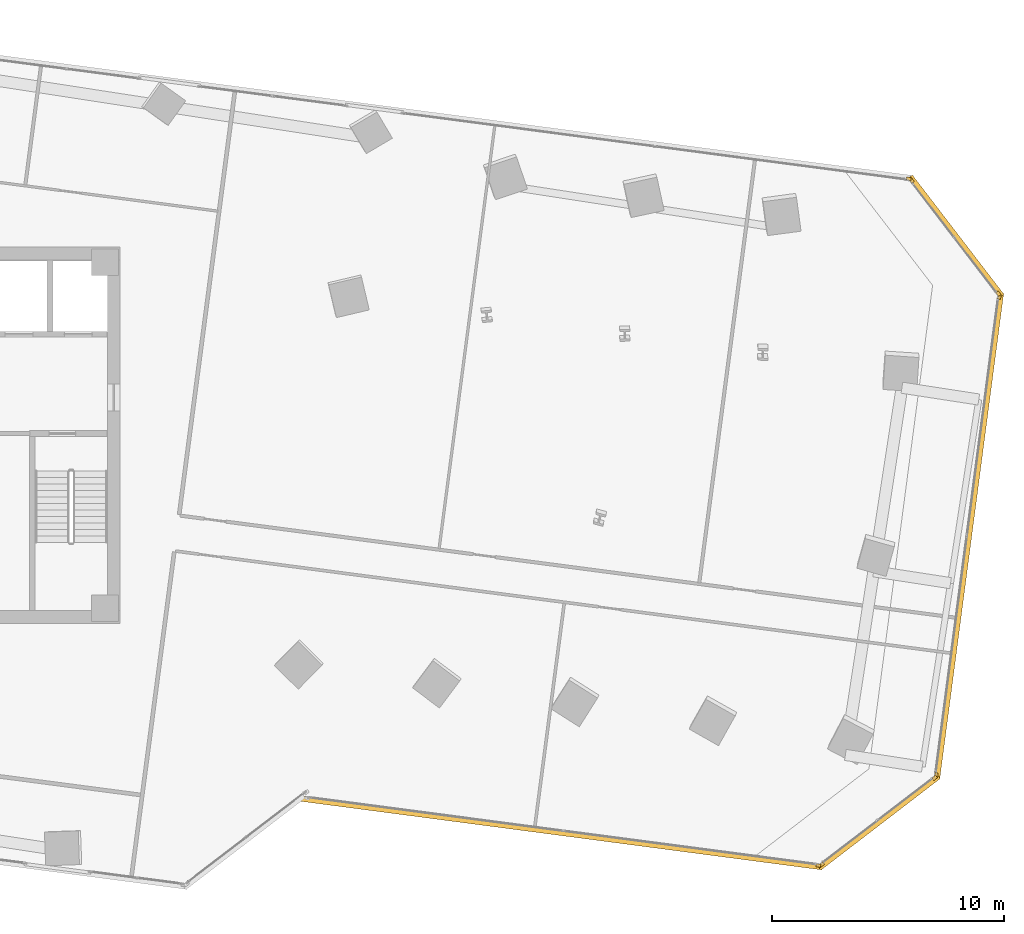
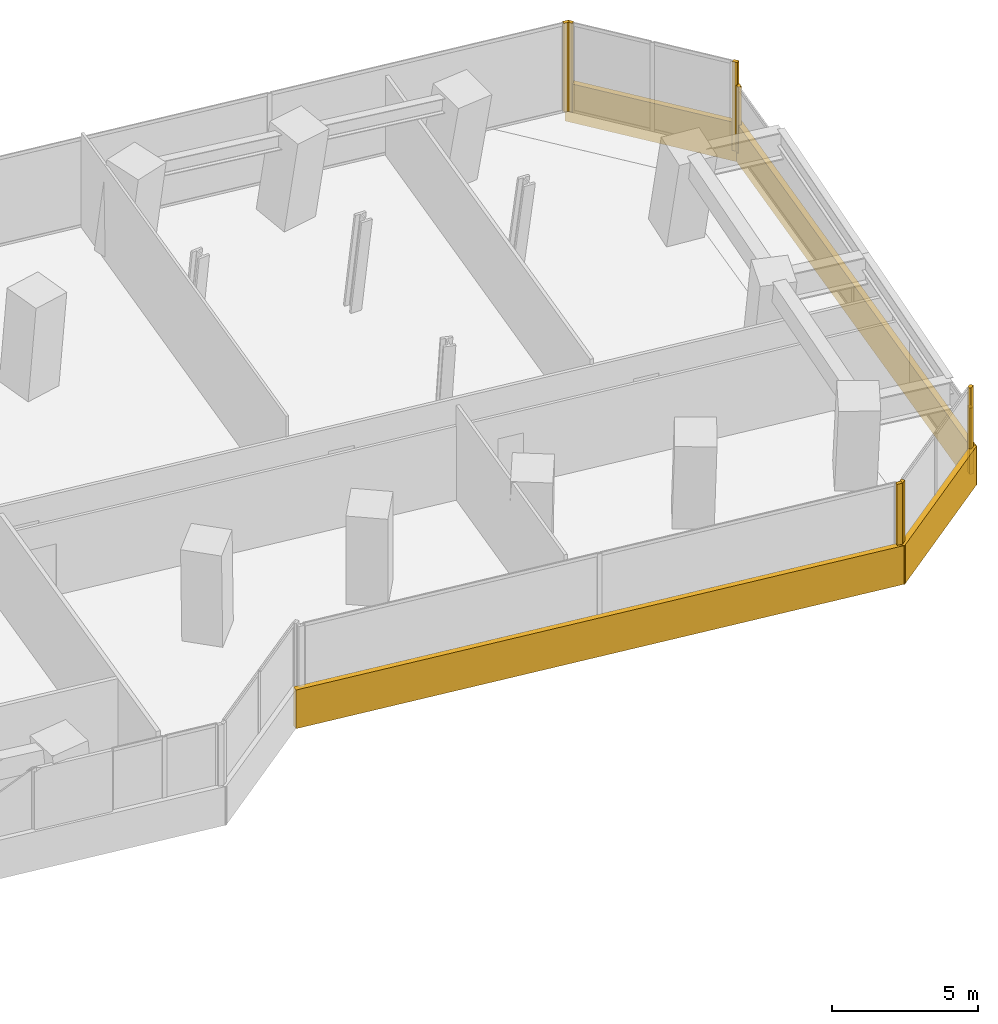
# One storey, part 23 of 24: 12 coverings.
"""IFC4 building model written with IfcOpenShell, lengths in metres."""

from ifc_helpers import new_model, si_unit, direction, frame, origin, origin_2d, place, context, subcontext, project, spatial, rectangle, extrude, source, transform, mapped, material, layer, layer_set, type_object, element, save


model = new_model("IFC4")

# Units and contexts
model_context = context("Model", 3, precision=1e-05, world=origin(), true_north=direction((0.0, 1.0)))
body_context = subcontext(model_context, "Body", "Model", "MODEL_VIEW")
ifc_project = project(units=[si_unit("LENGTHUNIT", "METRE"), si_unit("AREAUNIT", "SQUARE_METRE"), si_unit("VOLUMEUNIT", "CUBIC_METRE"), si_unit("PLANEANGLEUNIT", "RADIAN"), si_unit("MASSUNIT", "GRAM", prefix="KILO")], contexts=[model_context])

# Site, building, storey
site_placement = place(None, origin())
site = spatial("IfcSite", under=ifc_project, at=site_placement, CompositionType="ELEMENT")
building_placement = place(site_placement, origin())
building = spatial("IfcBuilding", under=site, at=building_placement, Name="Torre Montelarca", CompositionType="ELEMENT")
storey_placement = place(building_placement, frame((0.0, 0.0, 66.39990234375)))
storey = spatial("IfcBuildingStorey", under=building, at=storey_placement, Name="L14", CompositionType="ELEMENT", Elevation=66.39990234375)

# Coverings
ifc_material = material(Name="Bush-hammered warm white precast concrete C45/55", Category="concrete")
ifc_layer = layer(ifc_material, 0.139892578125, Name="Bush-hammered warm white precast concrete C45/55", Category="concrete")
ifc_layer_set = layer_set([ifc_layer], Name="Bush-hammered warm white precast concrete C45/55")
covering_type = type_object("IfcCoveringType", Name="COV-TRAY-CLAD", PredefinedType="CLADDING", material=ifc_layer_set)
shared_shape_1 = source(origin(), body_context, "Body", "SweptSolid", [
    extrude(rectangle(XDim=6.48388671875, YDim=0.219970703125, at=origin_2d()), origin(), (0.0, 0.0, 1.0), 1.6201171875),
])
for number, where, z_axis, x_axis, name in (
    (1, (59.78076171875, 15.33203125, -0.449951171875), (0.0, 0.0, 1.0), (0.793350152813, 0.608765582989, 0.0), "L14 Architectural White Spandrel Tray Band TRYBOT-05"),
    (2, (63.103515625, 40.57177734375, -0.449951171875), (0.0, 0.0, 1.0), (-0.608755890343, 0.793357590228, 0.0), "L14 Architectural White Spandrel Tray Band TRYBOT-07"),
):
    element("IfcCovering", number, at=place(storey_placement, frame(where, z_axis=z_axis, x_axis=x_axis)), inside=storey, type_object=covering_type, Name=name, PredefinedType="CLADDING", context=body_context, shape_type="MappedRepresentation", body=[
        mapped(shared_shape_1, transform((0.0, 0.0, 0.0), scale=1.0)),
    ])
shared_shape_2 = source(origin(), body_context, "Body", "SweptSolid", [
    extrude(rectangle(XDim=22.6201171875, YDim=0.219970703125, at=origin_2d()), origin(), (0.0, 0.0, 1.0), 1.6201171875),
])
covering_1_placement = place(storey_placement, frame((46.124755859375, 14.869384765625, -0.449951171875), z_axis=(0.0, 0.0, 1.0), x_axis=(0.991444405745, -0.130529653015, 0.0)))
element("IfcCovering", 3, at=covering_1_placement, inside=storey, type_object=covering_type, Name="L14 Architectural White Spandrel Tray Band TRYBOT-04", PredefinedType="CLADDING", context=body_context, shape_type="MappedRepresentation", body=[
    mapped(shared_shape_2, transform((0.0, 0.0, 0.0), scale=1.0)),
])
shared_shape_3 = source(origin(), body_context, "Body", "SweptSolid", [
    extrude(rectangle(XDim=21.1201171875, YDim=0.219970703125, at=origin_2d()), origin(), (0.0, 0.0, 1.0), 1.6201171875),
])
covering_2_placement = place(storey_placement, frame((63.664306640625, 27.659423828125, -0.449951171875), z_axis=(0.0, 0.0, 1.0), x_axis=(0.130524461822, 0.991445089183, 0.0)))
element("IfcCovering", 4, at=covering_2_placement, inside=storey, type_object=covering_type, Name="L14 Architectural White Spandrel Tray Band TRYBOT-06", PredefinedType="CLADDING", context=body_context, shape_type="MappedRepresentation", body=[
    mapped(shared_shape_3, transform((0.0, 0.0, 0.0), scale=1.0)),
])
shared_shape_4 = source(origin(), body_context, "Body", "SweptSolid", [
    extrude(rectangle(XDim=0.199951171875, YDim=0.139892578125, at=origin_2d()), origin(), (0.0, 0.0, 1.0), 3.719970703125),
])
for number, where, z_axis, x_axis, name in (
    (5, (57.17138671875, 13.4755859375, 0.0), (0.0, 0.0, 1.0), (0.991444861374, -0.13052619222, 0.0), "L14 Architectural Column Pier Cladding E04-2"),
    (6, (57.3115234375, 13.512939453125, 0.0), (0.0, 0.0, 1.0), (0.793343777791, 0.608773890899, 0.0), "L14 Architectural Column Pier Cladding E05-1"),
    (7, (62.1767578125, 17.24609375, 0.0), (0.0, 0.0, 1.0), (0.793343777791, 0.608773890899, 0.0), "L14 Architectural Column Pier Cladding E05-2"),
    (8, (64.922607421875, 38.102783203125, 0.0), (0.0, 0.0, 1.0), (-0.608764198331, 0.793351215308, 0.0), "L14 Architectural Column Pier Cladding E07-1"),
    (9, (61.189453125, 42.9677734375, 0.0), (0.0, 0.0, 1.0), (-0.608764198331, 0.793351215308, 0.0), "L14 Architectural Column Pier Cladding E07-2"),
    (10, (61.063720703125, 43.040283203125, 0.0), (0.0, 0.0, 1.0), (-0.991444861374, 0.13052619222, 0.0), "L14 Architectural Column Pier Cladding E08-1"),
):
    element("IfcCovering", number, at=place(storey_placement, frame(where, z_axis=z_axis, x_axis=x_axis)), inside=storey, type_object=covering_type, Name=name, PredefinedType="CLADDING", context=body_context, shape_type="MappedRepresentation", body=[
        mapped(shared_shape_4, transform((0.0, 0.0, 0.0), scale=1.0)),
    ])
shared_shape_5 = source(origin(), body_context, "Body", "SweptSolid", [
    extrude(rectangle(XDim=0.199951171875, YDim=0.139892578125, at=origin_2d()), origin(), (0.0, 0.0, 1.0), 2.77490234375),
])
for number, where, z_axis, x_axis, name in (
    (11, (62.249267578125, 17.3720703125, 0.000244140625), (0.0, 0.0, 1.0), (0.130524461822, 0.991445089183, 0.0), "L14 Architectural Column Pier Cladding E06-1"),
    (12, (64.9599609375, 37.96240234375, 0.000244140625), (0.0, 0.0, 1.0), (0.130524461822, 0.991445089183, 0.0), "L14 Architectural Column Pier Cladding E06-2"),
):
    element("IfcCovering", number, at=place(storey_placement, frame(where, z_axis=z_axis, x_axis=x_axis)), inside=storey, type_object=covering_type, Name=name, PredefinedType="CLADDING", context=body_context, shape_type="MappedRepresentation", body=[
        mapped(shared_shape_5, transform((0.0, 0.0, 0.0), scale=1.0)),
    ])

save(model, "model.ifc")
